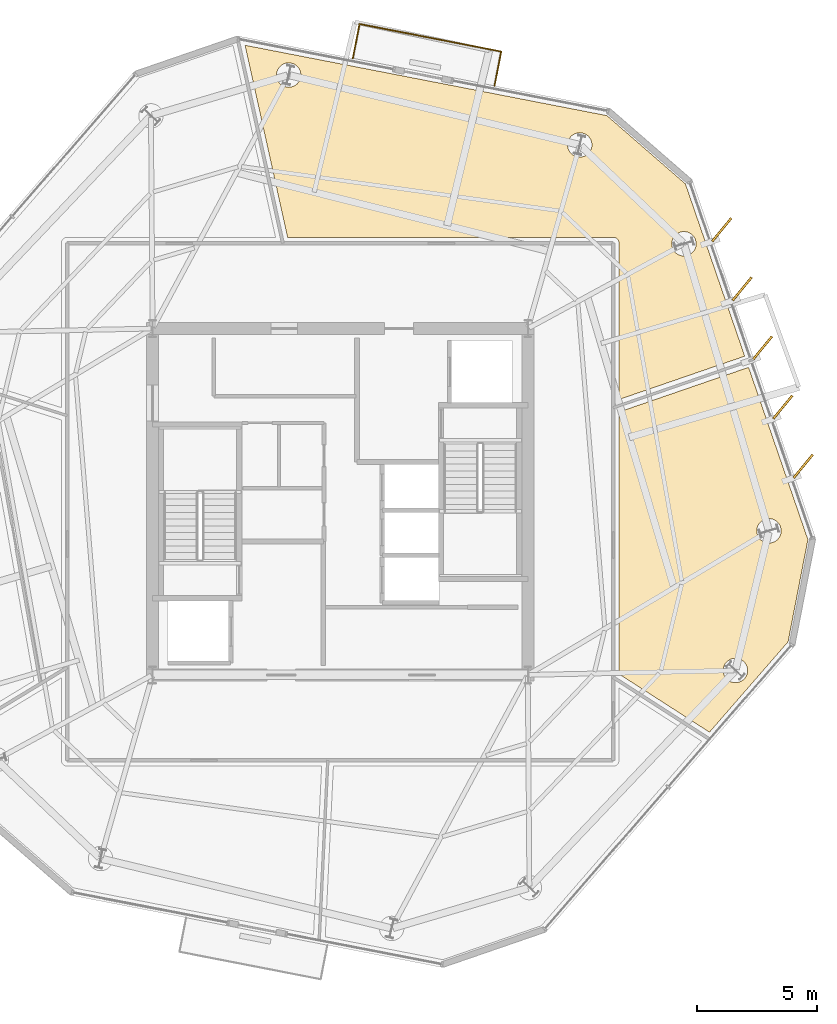
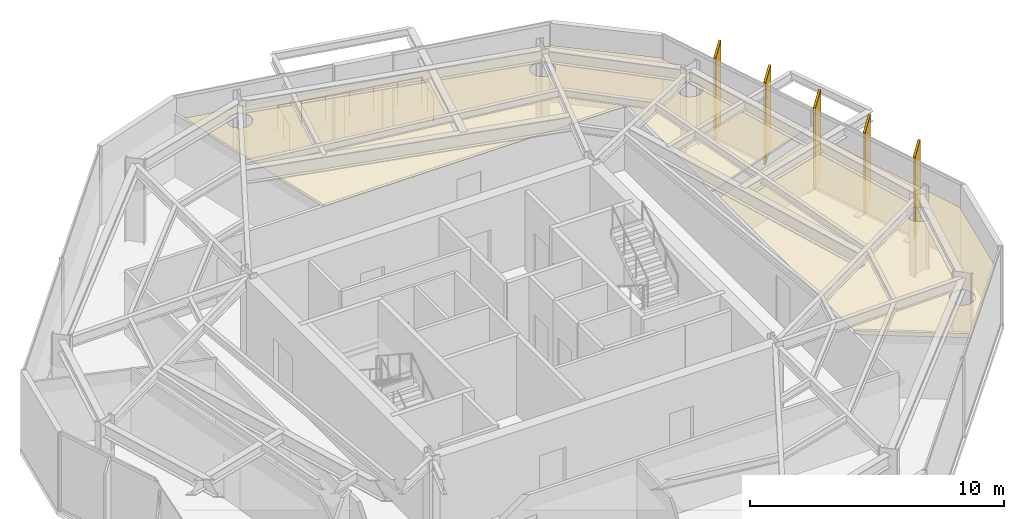
# One storey, part 11 of 11: 7 coverings, 5 shading devices, 1 railing.
"""IFC4 building model written with IfcOpenShell, lengths in metres."""

from ifc_helpers import new_model, si_unit, direction, frame, origin, origin_2d, place, context, subcontext, project, spatial, polyline, rectangle, circle, outline, extrude, material, layer, layer_set, type_object, element, save


model = new_model("IFC4")

# Units and contexts
model_context = context("Model", 3, precision=1e-05, world=origin(), true_north=direction((0.0, 1.0)))
body_context = subcontext(model_context, "Body", "Model", "MODEL_VIEW")
ifc_project = project(units=[si_unit("LENGTHUNIT", "METRE"), si_unit("AREAUNIT", "SQUARE_METRE"), si_unit("VOLUMEUNIT", "CUBIC_METRE"), si_unit("PLANEANGLEUNIT", "RADIAN"), si_unit("MASSUNIT", "GRAM", prefix="KILO")], contexts=[model_context])

# Site, building, storey
site_placement = place(None, origin())
site = spatial("IfcSite", under=ifc_project, at=site_placement, CompositionType="ELEMENT")
building_placement = place(site_placement, origin())
building = spatial("IfcBuilding", under=site, at=building_placement, Name="Kranzbogen Civic Tower", CompositionType="ELEMENT")
storey_placement = place(building_placement, frame((0.0, 0.0, 220.800048828125)))
storey = spatial("IfcBuildingStorey", under=building, at=storey_placement, Name="L53", CompositionType="ELEMENT", Elevation=220.800048828125)

# Coverings
ifc_material_1 = material(Name="Pale Anodised Aluminium", Category="aluminium")
ifc_layer_1 = layer(ifc_material_1, 0.02490234375, Name="Pale Anodised Aluminium")
ifc_layer_set_1 = layer_set([ifc_layer_1], Name="Pale Anodised Aluminium")
covering_type_1 = type_object("IfcCoveringType", Name="Anodised Aluminium Vertical Fin Cladding 25 mm", PredefinedType="CLADDING", material=ifc_layer_set_1)
for number, where, z_axis, x_axis, name in (
    (1, (44.2509765625, 26.47509765625, -0.14013671875), (0.0, 0.0, 1.0), (0.63524286988, 0.77231243436, 0.0), "L53 vertical fin pale-metal cladding F6-1"),
    (2, (43.405029296875, 28.93408203125, -0.14013671875), (0.0, 0.0, 1.0), (0.63524286988, 0.77231243436, 0.0), "L53 vertical fin pale-metal cladding F6-2"),
    (3, (42.55810546875, 31.39208984375, -0.14013671875), (0.0, 0.0, 1.0), (0.63524286988, 0.77231243436, 0.0), "L53 vertical fin pale-metal cladding F6-3"),
    (4, (41.7119140625, 33.85009765625, -0.14013671875), (0.0, 0.0, 1.0), (0.63524286988, 0.77231243436, 0.0), "L53 vertical fin pale-metal cladding F6-4"),
    (5, (40.864990234375, 36.30908203125, -0.14013671875), (0.0, 0.0, 1.0), (0.63524286988, 0.77231243436, 0.0), "L53 vertical fin pale-metal cladding F6-5"),
):
    element("IfcCovering", number, at=place(storey_placement, frame(where, z_axis=z_axis, x_axis=x_axis)), inside=storey, type_object=covering_type_1, Name=name, PredefinedType="CLADDING", context=body_context, shape_type="SweptSolid", body=[
        extrude(rectangle(XDim=1.25, YDim=0.10009765625, at=origin_2d()), origin(), (0.0, 0.0, 1.0), 3.9599609375),
    ])

# Shading devices
ifc_material_2 = material(Name="Anodised Bronze Aluminium", Category="aluminium")
shading_device_type = type_object("IfcShadingDeviceType", Name="Anodised Bronze Vertical Facade Fin 1250x80", PredefinedType="USERDEFINED", material=ifc_material_2)
for number, where, z_axis, x_axis, name in (
    (6, (44.2509765625, 26.47509765625, -0.14013671875), (0.0, 0.0, 1.0), (0.63524286988, 0.77231243436, 0.0), "L53 vertical exterior shading fin F6-1"),
    (7, (43.405029296875, 28.93408203125, -0.14013671875), (0.0, 0.0, 1.0), (0.63524286988, 0.77231243436, 0.0), "L53 vertical exterior shading fin F6-2"),
    (8, (42.55810546875, 31.39208984375, -0.14013671875), (0.0, 0.0, 1.0), (0.63524286988, 0.77231243436, 0.0), "L53 vertical exterior shading fin F6-3"),
    (9, (41.7119140625, 33.85009765625, -0.14013671875), (0.0, 0.0, 1.0), (0.63524286988, 0.77231243436, 0.0), "L53 vertical exterior shading fin F6-4"),
    (10, (40.864990234375, 36.30908203125, -0.14013671875), (0.0, 0.0, 1.0), (0.63524286988, 0.77231243436, 0.0), "L53 vertical exterior shading fin F6-5"),
):
    element("IfcShadingDevice", number, at=place(storey_placement, frame(where, z_axis=z_axis, x_axis=x_axis)), inside=storey, type_object=shading_device_type, Name=name, ObjectType="FIN", PredefinedType="USERDEFINED", context=body_context, shape_type="SweptSolid", body=[
        extrude(rectangle(XDim=1.25, YDim=0.080078125, at=origin_2d()), origin(), (0.0, 0.0, 1.0), 3.9599609375),
    ])

# Railing
railing_type = type_object("IfcRailingType", Name="Cantilevered Balcony Glass and Bronze Balustrade 1200", PredefinedType="BALUSTRADE", material=ifc_material_2)
railing_placement = place(storey_placement, frame((31.41796875, 42.29296875, 0.0)))
element("IfcRailing", 11, at=railing_placement, inside=storey, type_object=railing_type, Name="L53 exterior terrace balustrade L53-TB1", PredefinedType="BALUSTRADE", context=body_context, shape_type="SweptSolid", body=[
    extrude(circle(Radius=0.02392578125, at=origin_2d()), frame((0.0, 0.0, 1.17578125), z_axis=(0.191126562121, 0.981565401413, 0.0), x_axis=(-0.981565401413, 0.191126562121, 0.0)), (0.0, 0.0, 1.0), 1.44970703125),
    extrude(circle(Radius=0.02392578125, at=origin_2d()), frame((0.277099609375, 1.423095703125, 1.17578125), z_axis=(-0.981624282355, 0.190823919599, 0.0), x_axis=(-0.190823919599, -0.981624282355, 0.0)), (0.0, 0.0, 1.0), 6.00048828125),
    extrude(circle(Radius=0.02392578125, at=origin_2d()), frame((-5.613037109375, 2.568115234375, 1.17578125), z_axis=(-0.190964312149, -0.981596980173, 0.0), x_axis=(0.981596980173, -0.190964312149, 0.0)), (0.0, 0.0, 1.0), 1.44970703125),
    extrude(circle(Radius=0.02099609375, at=origin_2d()), origin(), (0.0, 0.0, 1.0), 1.15185546875),
    extrude(circle(Radius=0.02099609375, at=origin_2d()), frame((0.138671875, 0.71142578125, 0.0)), (0.0, 0.0, 1.0), 1.15185546875),
    extrude(circle(Radius=0.02099609375, at=origin_2d()), frame((0.277099609375, 1.423095703125, 0.0)), (0.0, 0.0, 1.0), 1.15185546875),
    extrude(circle(Radius=0.02099609375, at=origin_2d()), frame((-0.70458984375, 1.614013671875, 0.0)), (0.0, 0.0, 1.0), 1.15185546875),
    extrude(circle(Radius=0.02099609375, at=origin_2d()), frame((-1.686279296875, 1.8046875, 0.0)), (0.0, 0.0, 1.0), 1.15185546875),
    extrude(circle(Radius=0.02099609375, at=origin_2d()), frame((-2.66796875, 1.99560546875, 0.0)), (0.0, 0.0, 1.0), 1.15185546875),
    extrude(circle(Radius=0.02099609375, at=origin_2d()), frame((-3.649658203125, 2.1865234375, 0.0)), (0.0, 0.0, 1.0), 1.15185546875),
    extrude(circle(Radius=0.02099609375, at=origin_2d()), frame((-4.63134765625, 2.377197265625, 0.0)), (0.0, 0.0, 1.0), 1.15185546875),
    extrude(circle(Radius=0.02099609375, at=origin_2d()), frame((-5.613037109375, 2.568115234375, 0.0)), (0.0, 0.0, 1.0), 1.15185546875),
    extrude(circle(Radius=0.02099609375, at=origin_2d()), frame((-5.75146484375, 1.8564453125, 0.0)), (0.0, 0.0, 1.0), 1.15185546875),
    extrude(circle(Radius=0.02099609375, at=origin_2d()), frame((-5.889892578125, 1.14501953125, 0.0)), (0.0, 0.0, 1.0), 1.15185546875),
])

# Coverings
ifc_material_3 = material(Name="Perforated Acoustic Gypsum Ceiling")
ifc_layer_2 = layer(ifc_material_3, 0.02490234375, Name="Perforated Acoustic Gypsum Ceiling")
ifc_layer_set_2 = layer_set([ifc_layer_2], Name="Perforated Acoustic Gypsum Ceiling")
covering_type_2 = type_object("IfcCoveringType", Name="Perforated Acoustic Mineral Ceiling Tile 25 mm", PredefinedType="CEILING", material=ifc_layer_set_2)
covering_1_placement = place(storey_placement, frame((0.0, 0.0, 2.75)))
element("IfcCovering", 12, at=covering_1_placement, inside=storey, type_object=covering_type_2, Name="L53 Visitor Concierge Foyer acoustic ceiling", PredefinedType="CEILING", context=body_context, shape_type="SweptSolid", body=[
    extrude(outline(polyline([(43.623046875, 19.177001953125), (40.35498046875, 15.41796875), (36.594970703125, 17.8359375), (36.594970703125, 28.73291015625), (41.98095703125, 30.587890625), (44.447998046875, 23.424072265625), (43.623046875, 19.177001953125)]), holes=[polyline([(41.902099609375, 17.7900390625), (41.8798828125, 17.7451171875), (41.85498046875, 17.701904296875), (41.824951171875, 17.662109375), (41.7919921875, 17.625), (41.7548828125, 17.592041015625), (41.715087890625, 17.56201171875), (41.672119140625, 17.537109375), (41.626953125, 17.514892578125), (41.580078125, 17.4990234375), (41.531982421875, 17.487060546875), (41.48291015625, 17.47900390625), (41.43310546875, 17.47705078125), (41.383056640625, 17.47900390625), (41.333984375, 17.487060546875), (41.285888671875, 17.4990234375), (41.239013671875, 17.514892578125), (41.194091796875, 17.537109375), (41.15087890625, 17.56201171875), (41.111083984375, 17.592041015625), (41.073974609375, 17.625), (41.041015625, 17.662109375), (41.010986328125, 17.701904296875), (40.986083984375, 17.7451171875), (40.964111328125, 17.7900390625), (40.947998046875, 17.8369140625), (40.93603515625, 17.885009765625), (40.927978515625, 17.93408203125), (40.926025390625, 17.98388671875), (40.927978515625, 18.033935546875), (40.93603515625, 18.0830078125), (40.947998046875, 18.131103515625), (40.964111328125, 18.177978515625), (40.986083984375, 18.222900390625), (41.010986328125, 18.26611328125), (41.041015625, 18.305908203125), (41.073974609375, 18.343017578125), (41.111083984375, 18.3759765625), (41.15087890625, 18.406005859375), (41.194091796875, 18.430908203125), (41.239013671875, 18.452880859375), (41.285888671875, 18.468994140625), (41.333984375, 18.48095703125), (41.383056640625, 18.489013671875), (41.43310546875, 18.490966796875), (41.48291015625, 18.489013671875), (41.531982421875, 18.48095703125), (41.580078125, 18.468994140625), (41.626953125, 18.452880859375), (41.672119140625, 18.430908203125), (41.715087890625, 18.406005859375), (41.7548828125, 18.3759765625), (41.7919921875, 18.343017578125), (41.824951171875, 18.305908203125), (41.85498046875, 18.26611328125), (41.8798828125, 18.222900390625), (41.902099609375, 18.177978515625), (41.91796875, 18.131103515625), (41.929931640625, 18.0830078125), (41.93798828125, 18.033935546875), (41.93994140625, 17.98388671875), (41.93798828125, 17.93408203125), (41.929931640625, 17.885009765625), (41.91796875, 17.8369140625), (41.902099609375, 17.7900390625)]), polyline([(43.297119140625, 23.596923828125), (43.27490234375, 23.552001953125), (43.25, 23.509033203125), (43.219970703125, 23.468994140625), (43.18701171875, 23.431884765625), (43.14990234375, 23.39892578125), (43.110107421875, 23.368896484375), (43.06689453125, 23.343994140625), (43.02197265625, 23.322021484375), (42.97509765625, 23.305908203125), (42.927001953125, 23.2939453125), (42.8779296875, 23.285888671875), (42.827880859375, 23.283935546875), (42.778076171875, 23.285888671875), (42.72900390625, 23.2939453125), (42.680908203125, 23.305908203125), (42.634033203125, 23.322021484375), (42.589111328125, 23.343994140625), (42.5458984375, 23.368896484375), (42.506103515625, 23.39892578125), (42.468994140625, 23.431884765625), (42.43603515625, 23.468994140625), (42.406005859375, 23.509033203125), (42.381103515625, 23.552001953125), (42.35888671875, 23.596923828125), (42.343017578125, 23.64404296875), (42.3310546875, 23.69189453125), (42.322998046875, 23.740966796875), (42.321044921875, 23.791015625), (42.322998046875, 23.841064453125), (42.3310546875, 23.889892578125), (42.343017578125, 23.93798828125), (42.35888671875, 23.985107421875), (42.381103515625, 24.030029296875), (42.406005859375, 24.072998046875), (42.43603515625, 24.113037109375), (42.468994140625, 24.14990234375), (42.506103515625, 24.18310546875), (42.5458984375, 24.212890625), (42.589111328125, 24.238037109375), (42.634033203125, 24.260009765625), (42.680908203125, 24.27587890625), (42.72900390625, 24.2880859375), (42.778076171875, 24.2958984375), (42.827880859375, 24.298095703125), (42.8779296875, 24.2958984375), (42.927001953125, 24.2880859375), (42.97509765625, 24.27587890625), (43.02197265625, 24.260009765625), (43.06689453125, 24.238037109375), (43.110107421875, 24.212890625), (43.14990234375, 24.18310546875), (43.18701171875, 24.14990234375), (43.219970703125, 24.113037109375), (43.25, 24.072998046875), (43.27490234375, 24.030029296875), (43.297119140625, 23.985107421875), (43.31298828125, 23.93798828125), (43.324951171875, 23.889892578125), (43.3330078125, 23.841064453125), (43.3349609375, 23.791015625), (43.3330078125, 23.740966796875), (43.324951171875, 23.69189453125), (43.31298828125, 23.64404296875), (43.297119140625, 23.596923828125)])]), origin(), (0.0, 0.0, 1.0), 0.02490234375),
])
covering_2_placement = place(storey_placement, frame((0.0, 0.0, 2.75)))
element("IfcCovering", 13, at=covering_2_placement, inside=storey, type_object=covering_type_2, Name="L53 Protocol Entrance Reception acoustic ceiling", PredefinedType="CEILING", context=body_context, shape_type="SweptSolid", body=[
    extrude(outline(polyline([(36.594970703125, 29.251953125), (36.594970703125, 35.75), (36.594970703125, 35.759033203125), (36.593994140625, 35.764892578125), (36.593017578125, 35.782958984375), (36.592041015625, 35.7890625), (36.587890625, 35.805908203125), (36.5869140625, 35.81298828125), (36.58203125, 35.830078125), (36.580078125, 35.8359375), (36.572998046875, 35.85205078125), (36.570068359375, 35.85791015625), (36.56201171875, 35.873046875), (36.55810546875, 35.87890625), (36.549072265625, 35.89306640625), (36.544921875, 35.89794921875), (36.533935546875, 35.912109375), (36.529052734375, 35.9169921875), (36.51708984375, 35.928955078125), (36.511962890625, 35.93408203125), (36.498046875, 35.945068359375), (36.492919921875, 35.948974609375), (36.47900390625, 35.9580078125), (36.472900390625, 35.9619140625), (36.4580078125, 35.969970703125), (36.451904296875, 35.972900390625), (36.43603515625, 35.97998046875), (36.429931640625, 35.98193359375), (36.4130859375, 35.987060546875), (36.406005859375, 35.988037109375), (36.388916015625, 35.991943359375), (36.383056640625, 35.992919921875), (36.364990234375, 35.993896484375), (36.35888671875, 35.9951171875), (36.35009765625, 35.9951171875), (22.81494140625, 35.9951171875), (21.047119140625, 43.97802734375), (36.090087890625, 41.053955078125), (39.35400390625, 38.216064453125), (41.821044921875, 31.051025390625), (36.594970703125, 29.251953125)]), holes=[polyline([(23.3291015625, 42.5458984375), (23.306884765625, 42.5009765625), (23.281982421875, 42.4580078125), (23.251953125, 42.41796875), (23.218994140625, 42.381103515625), (23.181884765625, 42.347900390625), (23.14208984375, 42.318115234375), (23.09912109375, 42.29296875), (23.053955078125, 42.27099609375), (23.007080078125, 42.2548828125), (22.958984375, 42.242919921875), (22.909912109375, 42.235107421875), (22.860107421875, 42.23291015625), (22.81005859375, 42.235107421875), (22.760986328125, 42.242919921875), (22.712890625, 42.2548828125), (22.666015625, 42.27099609375), (22.62109375, 42.29296875), (22.577880859375, 42.318115234375), (22.5380859375, 42.347900390625), (22.5009765625, 42.381103515625), (22.468017578125, 42.41796875), (22.43798828125, 42.4580078125), (22.4130859375, 42.5009765625), (22.39111328125, 42.5458984375), (22.375, 42.593017578125), (22.363037109375, 42.64111328125), (22.35498046875, 42.68994140625), (22.35302734375, 42.739990234375), (22.35498046875, 42.7900390625), (22.363037109375, 42.839111328125), (22.375, 42.886962890625), (22.39111328125, 42.93408203125), (22.4130859375, 42.97900390625), (22.43798828125, 43.02197265625), (22.468017578125, 43.06201171875), (22.5009765625, 43.09912109375), (22.5380859375, 43.132080078125), (22.577880859375, 43.162109375), (22.62109375, 43.18701171875), (22.666015625, 43.208984375), (22.712890625, 43.22509765625), (22.760986328125, 43.237060546875), (22.81005859375, 43.2451171875), (22.860107421875, 43.2470703125), (22.909912109375, 43.2451171875), (22.958984375, 43.237060546875), (23.007080078125, 43.22509765625), (23.053955078125, 43.208984375), (23.09912109375, 43.18701171875), (23.14208984375, 43.162109375), (23.181884765625, 43.132080078125), (23.218994140625, 43.09912109375), (23.251953125, 43.06201171875), (23.281982421875, 43.02197265625), (23.306884765625, 42.97900390625), (23.3291015625, 42.93408203125), (23.344970703125, 42.886962890625), (23.35693359375, 42.839111328125), (23.364990234375, 42.7900390625), (23.366943359375, 42.739990234375), (23.364990234375, 42.68994140625), (23.35693359375, 42.64111328125), (23.344970703125, 42.593017578125), (23.3291015625, 42.5458984375)]), polyline([(39.761962890625, 35.530029296875), (39.739990234375, 35.485107421875), (39.715087890625, 35.44189453125), (39.68505859375, 35.402099609375), (39.652099609375, 35.364990234375), (39.614990234375, 35.33203125), (39.574951171875, 35.302001953125), (39.531982421875, 35.277099609375), (39.487060546875, 35.2548828125), (39.43994140625, 35.239013671875), (39.39208984375, 35.22705078125), (39.343017578125, 35.218994140625), (39.29296875, 35.217041015625), (39.242919921875, 35.218994140625), (39.194091796875, 35.22705078125), (39.14599609375, 35.239013671875), (39.09912109375, 35.2548828125), (39.053955078125, 35.277099609375), (39.010986328125, 35.302001953125), (38.970947265625, 35.33203125), (38.93408203125, 35.364990234375), (38.90087890625, 35.402099609375), (38.87109375, 35.44189453125), (38.845947265625, 35.485107421875), (38.823974609375, 35.530029296875), (38.80810546875, 35.576904296875), (38.7958984375, 35.625), (38.7880859375, 35.674072265625), (38.785888671875, 35.72412109375), (38.7880859375, 35.77392578125), (38.7958984375, 35.822998046875), (38.80810546875, 35.87109375), (38.823974609375, 35.91796875), (38.845947265625, 35.962890625), (38.87109375, 36.006103515625), (38.90087890625, 36.0458984375), (38.93408203125, 36.0830078125), (38.970947265625, 36.115966796875), (39.010986328125, 36.14599609375), (39.053955078125, 36.1708984375), (39.09912109375, 36.193115234375), (39.14599609375, 36.208984375), (39.194091796875, 36.220947265625), (39.242919921875, 36.22900390625), (39.29296875, 36.23095703125), (39.343017578125, 36.22900390625), (39.39208984375, 36.220947265625), (39.43994140625, 36.208984375), (39.487060546875, 36.193115234375), (39.531982421875, 36.1708984375), (39.574951171875, 36.14599609375), (39.614990234375, 36.115966796875), (39.652099609375, 36.0830078125), (39.68505859375, 36.0458984375), (39.715087890625, 36.006103515625), (39.739990234375, 35.962890625), (39.761962890625, 35.91796875), (39.778076171875, 35.87109375), (39.7900390625, 35.822998046875), (39.798095703125, 35.77392578125), (39.800048828125, 35.72412109375), (39.798095703125, 35.674072265625), (39.7900390625, 35.625), (39.778076171875, 35.576904296875), (39.761962890625, 35.530029296875)]), polyline([(35.429931640625, 39.64111328125), (35.407958984375, 39.595947265625), (35.383056640625, 39.552978515625), (35.35302734375, 39.512939453125), (35.320068359375, 39.47607421875), (35.282958984375, 39.443115234375), (35.242919921875, 39.4130859375), (35.199951171875, 39.387939453125), (35.155029296875, 39.365966796875), (35.10791015625, 39.35009765625), (35.06005859375, 39.337890625), (35.010986328125, 39.330078125), (34.9609375, 39.327880859375), (34.910888671875, 39.330078125), (34.862060546875, 39.337890625), (34.81396484375, 39.35009765625), (34.76708984375, 39.365966796875), (34.721923828125, 39.387939453125), (34.678955078125, 39.4130859375), (34.638916015625, 39.443115234375), (34.60205078125, 39.47607421875), (34.569091796875, 39.512939453125), (34.5390625, 39.552978515625), (34.513916015625, 39.595947265625), (34.491943359375, 39.64111328125), (34.47607421875, 39.68798828125), (34.464111328125, 39.736083984375), (34.4560546875, 39.784912109375), (34.4541015625, 39.8349609375), (34.4560546875, 39.885009765625), (34.464111328125, 39.93408203125), (34.47607421875, 39.98193359375), (34.491943359375, 40.029052734375), (34.513916015625, 40.073974609375), (34.5390625, 40.116943359375), (34.569091796875, 40.156982421875), (34.60205078125, 40.194091796875), (34.638916015625, 40.22705078125), (34.678955078125, 40.257080078125), (34.721923828125, 40.281982421875), (34.76708984375, 40.303955078125), (34.81396484375, 40.320068359375), (34.862060546875, 40.33203125), (34.910888671875, 40.340087890625), (34.9609375, 40.342041015625), (35.010986328125, 40.340087890625), (35.06005859375, 40.33203125), (35.10791015625, 40.320068359375), (35.155029296875, 40.303955078125), (35.199951171875, 40.281982421875), (35.242919921875, 40.257080078125), (35.282958984375, 40.22705078125), (35.320068359375, 40.194091796875), (35.35302734375, 40.156982421875), (35.383056640625, 40.116943359375), (35.407958984375, 40.073974609375), (35.429931640625, 40.029052734375), (35.446044921875, 39.98193359375), (35.4580078125, 39.93408203125), (35.466064453125, 39.885009765625), (35.468017578125, 39.8349609375), (35.466064453125, 39.784912109375), (35.4580078125, 39.736083984375), (35.446044921875, 39.68798828125), (35.429931640625, 39.64111328125)])]), origin(), (0.0, 0.0, 1.0), 0.02490234375),
])

save(model, "model.ifc")
